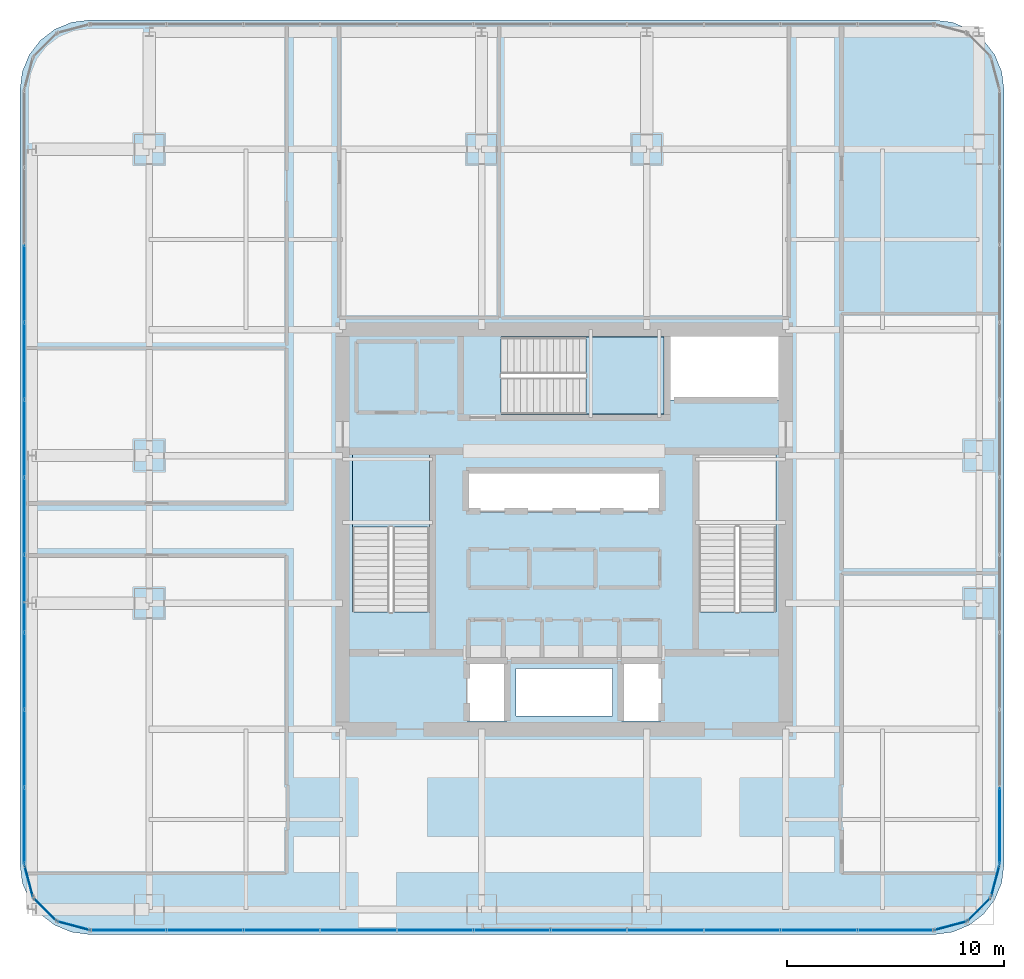
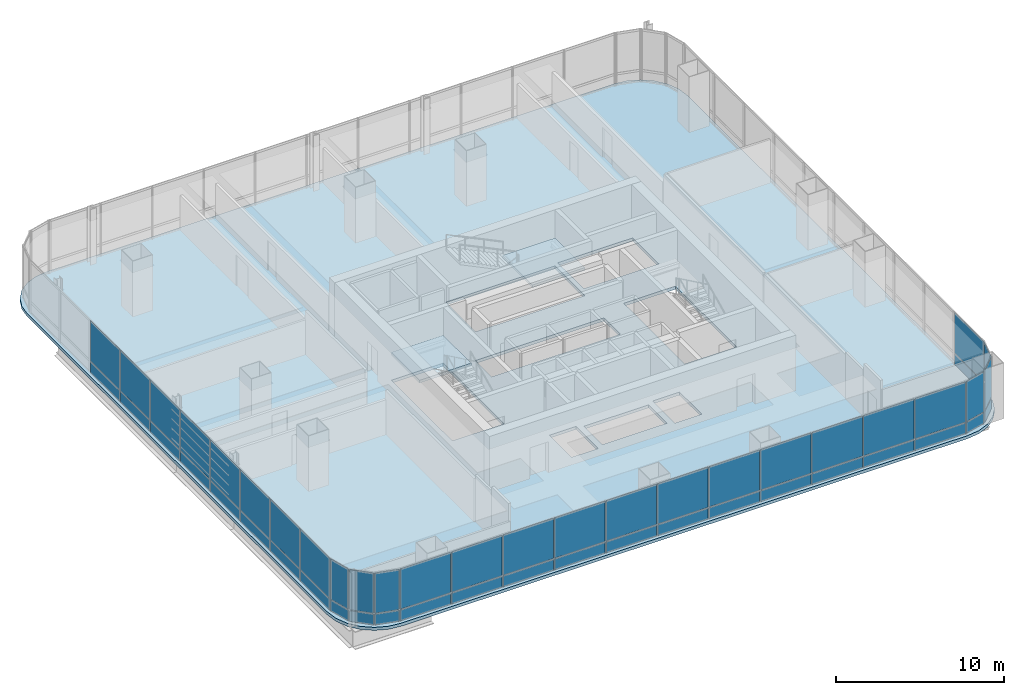
# One storey, part 28 of 38: 52 plates, 3 slabs, 11 elements without a shape of their own.
"""IFC4 building model written with IfcOpenShell, lengths in metres."""

from ifc_helpers import new_model, si_unit, direction, frame, origin, origin_2d, place, context, subcontext, project, spatial, polyline, rectangle, outline, extrude, material, layer, layer_set, type_object, element, aggregate, save


model = new_model("IFC4")

# Units and contexts
model_context = context("Model", 3, precision=1e-05, world=origin(), true_north=direction((0.0, 1.0)))
body_context = subcontext(model_context, "Body", "Model", "MODEL_VIEW")
ifc_project = project(units=[si_unit("LENGTHUNIT", "METRE"), si_unit("AREAUNIT", "SQUARE_METRE"), si_unit("VOLUMEUNIT", "CUBIC_METRE"), si_unit("PLANEANGLEUNIT", "RADIAN"), si_unit("MASSUNIT", "GRAM", prefix="KILO")], contexts=[model_context])

# Site, building, storey
site_placement = place(None, origin())
site = spatial("IfcSite", under=ifc_project, at=site_placement, CompositionType="ELEMENT")
building_placement = place(site_placement, origin())
building = spatial("IfcBuilding", under=site, at=building_placement, Name="Punatoya Terracotta Tower", CompositionType="ELEMENT")
storey_placement = place(building_placement, frame((0.0, 0.0, 143.85009765625)))
storey = spatial("IfcBuildingStorey", under=building, at=storey_placement, Name="L33", CompositionType="ELEMENT", Elevation=143.85009765625)

# Curtain wall, plates
ifc_material_1 = material(Name="Aluminium 6063-T6 + Double Low-E Glass", Category="aluminium")
curtain_wall_type = type_object("IfcCurtainWallType", Name="CW-M2", PredefinedType="NOTDEFINED", material=ifc_material_1)
curtain_wall_1_placement = place(storey_placement, origin())
curtain_wall_1 = element("IfcCurtainWall", 1, at=curtain_wall_1_placement, inside=storey, type_object=curtain_wall_type, Name="L33 Curtain Wall CW-L33-S01-1", PredefinedType="NOTDEFINED")
ifc_material_2 = material(Name="Double Low-E Acoustic Vision Glass", Category="glass")
ifc_layer_1 = layer(ifc_material_2, 0.031982421875)
ifc_layer_set_1 = layer_set([ifc_layer_1], Name="Double Low-E Acoustic Vision Glass")
plate_type_1 = type_object("IfcPlateType", Name="PLT-GLZ-32", PredefinedType="CURTAIN_PANEL", material=ifc_layer_set_1)
plate_1_placement = place(storey_placement, frame((-20.06982421875, -18.449951171875, 0.889892578125), z_axis=(0.0, 0.0, 1.0), x_axis=(1.0, 0.0, 0.0)))
plate_1 = element("IfcPlate", 2, at=plate_1_placement, type_object=plate_type_1, Name="CW-L33-S01-1 Vision Glass Panel 1", PredefinedType="CURTAIN_PANEL", context=body_context, shape_type="SweptSolid", body=[
    extrude(rectangle(XDim=3.448974609375, YDim=0.031982421875, at=origin_2d()), origin(), (0.0, 0.0, 1.0), 2.89990234375),
])
plate_2_placement = place(storey_placement, frame((-16.535888671875, -18.449951171875, 0.889892578125), z_axis=(0.0, 0.0, 1.0), x_axis=(1.0, 0.0, 0.0)))
plate_2 = element("IfcPlate", 3, at=plate_2_placement, type_object=plate_type_1, Name="CW-L33-S01-1 Vision Glass Panel 2", PredefinedType="CURTAIN_PANEL", context=body_context, shape_type="SweptSolid", body=[
    extrude(rectangle(XDim=3.448974609375, YDim=0.031982421875, at=origin_2d()), origin(), (0.0, 0.0, 1.0), 2.89990234375),
])
plate_3_placement = place(storey_placement, frame((-13.001953125, -18.449951171875, 0.889892578125), z_axis=(0.0, 0.0, 1.0), x_axis=(1.0, 0.0, 0.0)))
plate_3 = element("IfcPlate", 4, at=plate_3_placement, type_object=plate_type_1, Name="CW-L33-S01-1 Vision Glass Panel 3", PredefinedType="CURTAIN_PANEL", context=body_context, shape_type="SweptSolid", body=[
    extrude(rectangle(XDim=3.448974609375, YDim=0.031982421875, at=origin_2d()), origin(), (0.0, 0.0, 1.0), 2.89990234375),
])
plate_4_placement = place(storey_placement, frame((-9.468017578125, -18.449951171875, 0.889892578125), z_axis=(0.0, 0.0, 1.0), x_axis=(1.0, 0.0, 0.0)))
plate_4 = element("IfcPlate", 5, at=plate_4_placement, type_object=plate_type_1, Name="CW-L33-S01-1 Vision Glass Panel 4", PredefinedType="CURTAIN_PANEL", context=body_context, shape_type="SweptSolid", body=[
    extrude(rectangle(XDim=3.448974609375, YDim=0.031982421875, at=origin_2d()), origin(), (0.0, 0.0, 1.0), 2.89990234375),
])
plate_5_placement = place(storey_placement, frame((-5.93408203125, -18.449951171875, 0.889892578125), z_axis=(0.0, 0.0, 1.0), x_axis=(1.0, 0.0, 0.0)))
plate_5 = element("IfcPlate", 6, at=plate_5_placement, type_object=plate_type_1, Name="CW-L33-S01-1 Vision Glass Panel 5", PredefinedType="CURTAIN_PANEL", context=body_context, shape_type="SweptSolid", body=[
    extrude(rectangle(XDim=3.448974609375, YDim=0.031982421875, at=origin_2d()), origin(), (0.0, 0.0, 1.0), 2.89990234375),
])
plate_6_placement = place(storey_placement, frame((-2.39990234375, -18.449951171875, 0.889892578125), z_axis=(0.0, 0.0, 1.0), x_axis=(1.0, 0.0, 0.0)))
plate_6 = element("IfcPlate", 7, at=plate_6_placement, type_object=plate_type_1, Name="CW-L33-S01-1 Vision Glass Panel 6", PredefinedType="CURTAIN_PANEL", context=body_context, shape_type="SweptSolid", body=[
    extrude(rectangle(XDim=3.448974609375, YDim=0.031982421875, at=origin_2d()), origin(), (0.0, 0.0, 1.0), 2.89990234375),
])
plate_7_placement = place(storey_placement, frame((1.134033203125, -18.449951171875, 0.889892578125), z_axis=(0.0, 0.0, 1.0), x_axis=(1.0, 0.0, 0.0)))
plate_7 = element("IfcPlate", 8, at=plate_7_placement, type_object=plate_type_1, Name="CW-L33-S01-1 Vision Glass Panel 7", PredefinedType="CURTAIN_PANEL", context=body_context, shape_type="SweptSolid", body=[
    extrude(rectangle(XDim=3.448974609375, YDim=0.031982421875, at=origin_2d()), origin(), (0.0, 0.0, 1.0), 2.89990234375),
])
plate_8_placement = place(storey_placement, frame((4.66796875, -18.449951171875, 0.889892578125), z_axis=(0.0, 0.0, 1.0), x_axis=(1.0, 0.0, 0.0)))
plate_8 = element("IfcPlate", 9, at=plate_8_placement, type_object=plate_type_1, Name="CW-L33-S01-1 Vision Glass Panel 8", PredefinedType="CURTAIN_PANEL", context=body_context, shape_type="SweptSolid", body=[
    extrude(rectangle(XDim=3.448974609375, YDim=0.031982421875, at=origin_2d()), origin(), (0.0, 0.0, 1.0), 2.89990234375),
])
plate_9_placement = place(storey_placement, frame((8.201904296875, -18.449951171875, 0.889892578125), z_axis=(0.0, 0.0, 1.0), x_axis=(1.0, 0.0, 0.0)))
plate_9 = element("IfcPlate", 10, at=plate_9_placement, type_object=plate_type_1, Name="CW-L33-S01-1 Vision Glass Panel 9", PredefinedType="CURTAIN_PANEL", context=body_context, shape_type="SweptSolid", body=[
    extrude(rectangle(XDim=3.448974609375, YDim=0.031982421875, at=origin_2d()), origin(), (0.0, 0.0, 1.0), 2.89990234375),
])
plate_10_placement = place(storey_placement, frame((11.73583984375, -18.449951171875, 0.889892578125), z_axis=(0.0, 0.0, 1.0), x_axis=(1.0, 0.0, 0.0)))
plate_10 = element("IfcPlate", 11, at=plate_10_placement, type_object=plate_type_1, Name="CW-L33-S01-1 Vision Glass Panel 10", PredefinedType="CURTAIN_PANEL", context=body_context, shape_type="SweptSolid", body=[
    extrude(rectangle(XDim=3.448974609375, YDim=0.031982421875, at=origin_2d()), origin(), (0.0, 0.0, 1.0), 2.89990234375),
])
plate_11_placement = place(storey_placement, frame((15.27001953125, -18.449951171875, 0.889892578125), z_axis=(0.0, 0.0, 1.0), x_axis=(1.0, 0.0, 0.0)))
plate_11 = element("IfcPlate", 12, at=plate_11_placement, type_object=plate_type_1, Name="CW-L33-S01-1 Vision Glass Panel 11", PredefinedType="CURTAIN_PANEL", context=body_context, shape_type="SweptSolid", body=[
    extrude(rectangle(XDim=3.448974609375, YDim=0.031982421875, at=origin_2d()), origin(), (0.0, 0.0, 1.0), 2.89990234375),
])

# Curtain wall, plate
curtain_wall_2_placement = place(storey_placement, origin())
curtain_wall_2 = element("IfcCurtainWall", 13, at=curtain_wall_2_placement, inside=storey, type_object=curtain_wall_type, Name="L33 Curtain Wall CW-L33-CRN02", PredefinedType="NOTDEFINED")
plate_12_placement = place(storey_placement, frame((17.79296875, -18.248291015625, 0.889892578125), z_axis=(0.0, 0.0, 1.0), x_axis=(0.966213877436, 0.257741620719, 0.0)))
plate_12 = element("IfcPlate", 14, at=plate_12_placement, type_object=plate_type_1, Name="CW-L33-CRN02 Vision Glass Panel 1", PredefinedType="CURTAIN_PANEL", context=body_context, shape_type="SweptSolid", body=[
    extrude(rectangle(XDim=1.47998046875, YDim=0.031982421875, at=origin_2d()), origin(), (0.0, 0.0, 1.0), 2.89990234375),
])

curtain_wall_3_placement = place(storey_placement, origin())
curtain_wall_3 = element("IfcCurtainWall", 15, at=curtain_wall_3_placement, inside=storey, type_object=curtain_wall_type, Name="L33 Curtain Wall CW-L33-CRN03", PredefinedType="NOTDEFINED")
plate_13_placement = place(storey_placement, frame((19.097900390625, -17.497802734375, 0.889892578125), z_axis=(0.0, 0.0, 1.0), x_axis=(0.707106781187, 0.707106781187, 0.0)))
plate_13 = element("IfcPlate", 16, at=plate_13_placement, type_object=plate_type_1, Name="CW-L33-CRN03 Vision Glass Panel 1", PredefinedType="CURTAIN_PANEL", context=body_context, shape_type="SweptSolid", body=[
    extrude(rectangle(XDim=1.467041015625, YDim=0.031982421875, at=origin_2d()), origin(), (0.0, 0.0, 1.0), 2.89990234375),
])

curtain_wall_4_placement = place(storey_placement, origin())
curtain_wall_4 = element("IfcCurtainWall", 17, at=curtain_wall_4_placement, inside=storey, type_object=curtain_wall_type, Name="L33 Curtain Wall CW-L33-CRN04", PredefinedType="NOTDEFINED")
plate_14_placement = place(storey_placement, frame((19.848388671875, -16.193115234375, 0.889892578125), z_axis=(0.0, 0.0, 1.0), x_axis=(0.257741620719, 0.966213877436, 0.0)))
plate_14 = element("IfcPlate", 18, at=plate_14_placement, type_object=plate_type_1, Name="CW-L33-CRN04 Vision Glass Panel 1", PredefinedType="CURTAIN_PANEL", context=body_context, shape_type="SweptSolid", body=[
    extrude(rectangle(XDim=1.47998046875, YDim=0.031982421875, at=origin_2d()), origin(), (0.0, 0.0, 1.0), 2.89990234375),
])

curtain_wall_5_placement = place(storey_placement, origin())
curtain_wall_5 = element("IfcCurtainWall", 19, at=curtain_wall_5_placement, inside=storey, type_object=curtain_wall_type, Name="L33 Curtain Wall CW-L33-E05-1", PredefinedType="NOTDEFINED")
plate_15_placement = place(storey_placement, frame((20.050048828125, -13.6533203125, 0.889892578125), z_axis=(0.0, 0.0, 1.0), x_axis=(0.0, 1.0, 0.0)))
plate_15 = element("IfcPlate", 20, at=plate_15_placement, type_object=plate_type_1, Name="CW-L33-E05-1 Vision Glass Panel 1", PredefinedType="CURTAIN_PANEL", context=body_context, shape_type="SweptSolid", body=[
    extrude(rectangle(XDim=3.482421875, YDim=0.031982421875, at=origin_2d()), origin(), (0.0, 0.0, 1.0), 2.89990234375),
])

# Curtain wall, plates
curtain_wall_6_placement = place(storey_placement, origin())
curtain_wall_6 = element("IfcCurtainWall", 21, at=curtain_wall_6_placement, inside=storey, type_object=curtain_wall_type, Name="L33 Curtain Wall CW-L33-W13-1", PredefinedType="NOTDEFINED")
plate_16_placement = place(storey_placement, frame((-24.85009765625, 11.318359375, 0.889892578125), z_axis=(0.0, 0.0, 1.0), x_axis=(0.0, -1.0, 0.0)))
plate_16 = element("IfcPlate", 22, at=plate_16_placement, type_object=plate_type_1, Name="CW-L33-W13-1 Vision Glass Panel 3", PredefinedType="CURTAIN_PANEL", context=body_context, shape_type="SweptSolid", body=[
    extrude(rectangle(XDim=3.482421875, YDim=0.031982421875, at=origin_2d()), origin(), (0.0, 0.0, 1.0), 2.89990234375),
])
plate_17_placement = place(storey_placement, frame((-24.85009765625, 7.751220703125, 0.889892578125), z_axis=(0.0, 0.0, 1.0), x_axis=(0.0, -1.0, 0.0)))
plate_17 = element("IfcPlate", 23, at=plate_17_placement, type_object=plate_type_1, Name="CW-L33-W13-1 Vision Glass Panel 4", PredefinedType="CURTAIN_PANEL", context=body_context, shape_type="SweptSolid", body=[
    extrude(rectangle(XDim=3.482421875, YDim=0.031982421875, at=origin_2d()), origin(), (0.0, 0.0, 1.0), 2.89990234375),
])
plate_18_placement = place(storey_placement, frame((-24.85009765625, 4.18359375, 0.889892578125), z_axis=(0.0, 0.0, 1.0), x_axis=(0.0, -1.0, 0.0)))
plate_18 = element("IfcPlate", 24, at=plate_18_placement, type_object=plate_type_1, Name="CW-L33-W13-1 Vision Glass Panel 5", PredefinedType="CURTAIN_PANEL", context=body_context, shape_type="SweptSolid", body=[
    extrude(rectangle(XDim=3.482421875, YDim=0.031982421875, at=origin_2d()), origin(), (0.0, 0.0, 1.0), 2.89990234375),
])
plate_19_placement = place(storey_placement, frame((-24.85009765625, 0.6162109375, 0.889892578125), z_axis=(0.0, 0.0, 1.0), x_axis=(0.0, -1.0, 0.0)))
plate_19 = element("IfcPlate", 25, at=plate_19_placement, type_object=plate_type_1, Name="CW-L33-W13-1 Vision Glass Panel 6", PredefinedType="CURTAIN_PANEL", context=body_context, shape_type="SweptSolid", body=[
    extrude(rectangle(XDim=3.482421875, YDim=0.031982421875, at=origin_2d()), origin(), (0.0, 0.0, 1.0), 2.89990234375),
])
plate_20_placement = place(storey_placement, frame((-24.85009765625, -2.951171875, 0.889892578125), z_axis=(0.0, 0.0, 1.0), x_axis=(0.0, -1.0, 0.0)))
plate_20 = element("IfcPlate", 26, at=plate_20_placement, type_object=plate_type_1, Name="CW-L33-W13-1 Vision Glass Panel 7", PredefinedType="CURTAIN_PANEL", context=body_context, shape_type="SweptSolid", body=[
    extrude(rectangle(XDim=3.482421875, YDim=0.031982421875, at=origin_2d()), origin(), (0.0, 0.0, 1.0), 2.89990234375),
])
plate_21_placement = place(storey_placement, frame((-24.85009765625, -6.518310546875, 0.889892578125), z_axis=(0.0, 0.0, 1.0), x_axis=(0.0, -1.0, 0.0)))
plate_21 = element("IfcPlate", 27, at=plate_21_placement, type_object=plate_type_1, Name="CW-L33-W13-1 Vision Glass Panel 8", PredefinedType="CURTAIN_PANEL", context=body_context, shape_type="SweptSolid", body=[
    extrude(rectangle(XDim=3.482421875, YDim=0.031982421875, at=origin_2d()), origin(), (0.0, 0.0, 1.0), 2.89990234375),
])
plate_22_placement = place(storey_placement, frame((-24.85009765625, -10.085693359375, 0.889892578125), z_axis=(0.0, 0.0, 1.0), x_axis=(0.0, -1.0, 0.0)))
plate_22 = element("IfcPlate", 28, at=plate_22_placement, type_object=plate_type_1, Name="CW-L33-W13-1 Vision Glass Panel 9", PredefinedType="CURTAIN_PANEL", context=body_context, shape_type="SweptSolid", body=[
    extrude(rectangle(XDim=3.482421875, YDim=0.031982421875, at=origin_2d()), origin(), (0.0, 0.0, 1.0), 2.89990234375),
])
plate_23_placement = place(storey_placement, frame((-24.85009765625, -13.6533203125, 0.889892578125), z_axis=(0.0, 0.0, 1.0), x_axis=(0.0, -1.0, 0.0)))
plate_23 = element("IfcPlate", 29, at=plate_23_placement, type_object=plate_type_1, Name="CW-L33-W13-1 Vision Glass Panel 10", PredefinedType="CURTAIN_PANEL", context=body_context, shape_type="SweptSolid", body=[
    extrude(rectangle(XDim=3.482421875, YDim=0.031982421875, at=origin_2d()), origin(), (0.0, 0.0, 1.0), 2.89990234375),
])

# Curtain wall, plate
curtain_wall_7_placement = place(storey_placement, origin())
curtain_wall_7 = element("IfcCurtainWall", 30, at=curtain_wall_7_placement, inside=storey, type_object=curtain_wall_type, Name="L33 Curtain Wall CW-L33-CRN14", PredefinedType="NOTDEFINED")
plate_24_placement = place(storey_placement, frame((-24.648193359375, -16.193115234375, 0.889892578125), z_axis=(0.0, 0.0, 1.0), x_axis=(0.257741620719, -0.966213877436, 0.0)))
plate_24 = element("IfcPlate", 31, at=plate_24_placement, type_object=plate_type_1, Name="CW-L33-CRN14 Vision Glass Panel 1", PredefinedType="CURTAIN_PANEL", context=body_context, shape_type="SweptSolid", body=[
    extrude(rectangle(XDim=1.47998046875, YDim=0.031982421875, at=origin_2d()), origin(), (0.0, 0.0, 1.0), 2.89990234375),
])

curtain_wall_8_placement = place(storey_placement, origin())
curtain_wall_8 = element("IfcCurtainWall", 32, at=curtain_wall_8_placement, inside=storey, type_object=curtain_wall_type, Name="L33 Curtain Wall CW-L33-CRN15", PredefinedType="NOTDEFINED")
plate_25_placement = place(storey_placement, frame((-23.89794921875, -17.497802734375, 0.889892578125), z_axis=(0.0, 0.0, 1.0), x_axis=(0.707106781187, -0.707106781187, 0.0)))
plate_25 = element("IfcPlate", 33, at=plate_25_placement, type_object=plate_type_1, Name="CW-L33-CRN15 Vision Glass Panel 1", PredefinedType="CURTAIN_PANEL", context=body_context, shape_type="SweptSolid", body=[
    extrude(rectangle(XDim=1.467041015625, YDim=0.031982421875, at=origin_2d()), origin(), (0.0, 0.0, 1.0), 2.89990234375),
])

curtain_wall_9_placement = place(storey_placement, origin())
curtain_wall_9 = element("IfcCurtainWall", 34, at=curtain_wall_9_placement, inside=storey, type_object=curtain_wall_type, Name="L33 Curtain Wall CW-L33-CRN16", PredefinedType="NOTDEFINED")
plate_26_placement = place(storey_placement, frame((-22.593017578125, -18.248291015625, 0.889892578125), z_axis=(0.0, 0.0, 1.0), x_axis=(0.966213877436, -0.257741620719, 0.0)))
plate_26 = element("IfcPlate", 35, at=plate_26_placement, type_object=plate_type_1, Name="CW-L33-CRN16 Vision Glass Panel 1", PredefinedType="CURTAIN_PANEL", context=body_context, shape_type="SweptSolid", body=[
    extrude(rectangle(XDim=1.47998046875, YDim=0.031982421875, at=origin_2d()), origin(), (0.0, 0.0, 1.0), 2.89990234375),
])

# Plate
ifc_material_3 = material(Name="Insulated Terracotta-Backed Spandrel Panel", Category="masonry")
ifc_layer_2 = layer(ifc_material_3, 0.044921875)
ifc_layer_set_2 = layer_set([ifc_layer_2], Name="Insulated Terracotta-Backed Spandrel Panel")
plate_type_2 = type_object("IfcPlateType", Name="PLT-SPN-45", PredefinedType="CURTAIN_PANEL", material=ifc_layer_set_2)
plate_27_placement = place(storey_placement, frame((-20.06982421875, -18.449951171875, 0.0400390625), z_axis=(0.0, 0.0, 1.0), x_axis=(1.0, 0.0, 0.0)))
plate_27 = element("IfcPlate", 36, at=plate_27_placement, type_object=plate_type_2, Name="CW-L33-S01-1 Terracotta Spandrel Panel 1", PredefinedType="CURTAIN_PANEL", context=body_context, shape_type="SweptSolid", body=[
    extrude(rectangle(XDim=3.448974609375, YDim=0.044921875, at=origin_2d()), origin(), (0.0, 0.0, 1.0), 0.77490234375),
])

plate_28_placement = place(storey_placement, frame((-16.535888671875, -18.449951171875, 0.0400390625), z_axis=(0.0, 0.0, 1.0), x_axis=(1.0, 0.0, 0.0)))
plate_28 = element("IfcPlate", 37, at=plate_28_placement, type_object=plate_type_2, Name="CW-L33-S01-1 Terracotta Spandrel Panel 2", PredefinedType="CURTAIN_PANEL", context=body_context, shape_type="SweptSolid", body=[
    extrude(rectangle(XDim=3.448974609375, YDim=0.044921875, at=origin_2d()), origin(), (0.0, 0.0, 1.0), 0.77490234375),
])

plate_29_placement = place(storey_placement, frame((-13.001953125, -18.449951171875, 0.0400390625), z_axis=(0.0, 0.0, 1.0), x_axis=(1.0, 0.0, 0.0)))
plate_29 = element("IfcPlate", 38, at=plate_29_placement, type_object=plate_type_2, Name="CW-L33-S01-1 Terracotta Spandrel Panel 3", PredefinedType="CURTAIN_PANEL", context=body_context, shape_type="SweptSolid", body=[
    extrude(rectangle(XDim=3.448974609375, YDim=0.044921875, at=origin_2d()), origin(), (0.0, 0.0, 1.0), 0.77490234375),
])

plate_30_placement = place(storey_placement, frame((-9.468017578125, -18.449951171875, 0.0400390625), z_axis=(0.0, 0.0, 1.0), x_axis=(1.0, 0.0, 0.0)))
plate_30 = element("IfcPlate", 39, at=plate_30_placement, type_object=plate_type_2, Name="CW-L33-S01-1 Terracotta Spandrel Panel 4", PredefinedType="CURTAIN_PANEL", context=body_context, shape_type="SweptSolid", body=[
    extrude(rectangle(XDim=3.448974609375, YDim=0.044921875, at=origin_2d()), origin(), (0.0, 0.0, 1.0), 0.77490234375),
])

plate_31_placement = place(storey_placement, frame((-5.93408203125, -18.449951171875, 0.0400390625), z_axis=(0.0, 0.0, 1.0), x_axis=(1.0, 0.0, 0.0)))
plate_31 = element("IfcPlate", 40, at=plate_31_placement, type_object=plate_type_2, Name="CW-L33-S01-1 Terracotta Spandrel Panel 5", PredefinedType="CURTAIN_PANEL", context=body_context, shape_type="SweptSolid", body=[
    extrude(rectangle(XDim=3.448974609375, YDim=0.044921875, at=origin_2d()), origin(), (0.0, 0.0, 1.0), 0.77490234375),
])

plate_32_placement = place(storey_placement, frame((-2.39990234375, -18.449951171875, 0.0400390625), z_axis=(0.0, 0.0, 1.0), x_axis=(1.0, 0.0, 0.0)))
plate_32 = element("IfcPlate", 41, at=plate_32_placement, type_object=plate_type_2, Name="CW-L33-S01-1 Terracotta Spandrel Panel 6", PredefinedType="CURTAIN_PANEL", context=body_context, shape_type="SweptSolid", body=[
    extrude(rectangle(XDim=3.448974609375, YDim=0.044921875, at=origin_2d()), origin(), (0.0, 0.0, 1.0), 0.77490234375),
])

plate_33_placement = place(storey_placement, frame((1.134033203125, -18.449951171875, 0.0400390625), z_axis=(0.0, 0.0, 1.0), x_axis=(1.0, 0.0, 0.0)))
plate_33 = element("IfcPlate", 42, at=plate_33_placement, type_object=plate_type_2, Name="CW-L33-S01-1 Terracotta Spandrel Panel 7", PredefinedType="CURTAIN_PANEL", context=body_context, shape_type="SweptSolid", body=[
    extrude(rectangle(XDim=3.448974609375, YDim=0.044921875, at=origin_2d()), origin(), (0.0, 0.0, 1.0), 0.77490234375),
])

plate_34_placement = place(storey_placement, frame((4.66796875, -18.449951171875, 0.0400390625), z_axis=(0.0, 0.0, 1.0), x_axis=(1.0, 0.0, 0.0)))
plate_34 = element("IfcPlate", 43, at=plate_34_placement, type_object=plate_type_2, Name="CW-L33-S01-1 Terracotta Spandrel Panel 8", PredefinedType="CURTAIN_PANEL", context=body_context, shape_type="SweptSolid", body=[
    extrude(rectangle(XDim=3.448974609375, YDim=0.044921875, at=origin_2d()), origin(), (0.0, 0.0, 1.0), 0.77490234375),
])

plate_35_placement = place(storey_placement, frame((8.201904296875, -18.449951171875, 0.0400390625), z_axis=(0.0, 0.0, 1.0), x_axis=(1.0, 0.0, 0.0)))
plate_35 = element("IfcPlate", 44, at=plate_35_placement, type_object=plate_type_2, Name="CW-L33-S01-1 Terracotta Spandrel Panel 9", PredefinedType="CURTAIN_PANEL", context=body_context, shape_type="SweptSolid", body=[
    extrude(rectangle(XDim=3.448974609375, YDim=0.044921875, at=origin_2d()), origin(), (0.0, 0.0, 1.0), 0.77490234375),
])

plate_36_placement = place(storey_placement, frame((11.73583984375, -18.449951171875, 0.0400390625), z_axis=(0.0, 0.0, 1.0), x_axis=(1.0, 0.0, 0.0)))
plate_36 = element("IfcPlate", 45, at=plate_36_placement, type_object=plate_type_2, Name="CW-L33-S01-1 Terracotta Spandrel Panel 10", PredefinedType="CURTAIN_PANEL", context=body_context, shape_type="SweptSolid", body=[
    extrude(rectangle(XDim=3.448974609375, YDim=0.044921875, at=origin_2d()), origin(), (0.0, 0.0, 1.0), 0.77490234375),
])

plate_37_placement = place(storey_placement, frame((15.27001953125, -18.449951171875, 0.0400390625), z_axis=(0.0, 0.0, 1.0), x_axis=(1.0, 0.0, 0.0)))
plate_37 = element("IfcPlate", 46, at=plate_37_placement, type_object=plate_type_2, Name="CW-L33-S01-1 Terracotta Spandrel Panel 11", PredefinedType="CURTAIN_PANEL", context=body_context, shape_type="SweptSolid", body=[
    extrude(rectangle(XDim=3.448974609375, YDim=0.044921875, at=origin_2d()), origin(), (0.0, 0.0, 1.0), 0.77490234375),
])

aggregate(curtain_wall_1, [plate_27, plate_1, plate_28, plate_2, plate_29, plate_3, plate_30, plate_4, plate_31, plate_5, plate_32, plate_6, plate_33, plate_7, plate_34, plate_8, plate_35, plate_9, plate_36, plate_10, plate_37, plate_11])

plate_38_placement = place(storey_placement, frame((17.79296875, -18.248291015625, 0.0400390625), z_axis=(0.0, 0.0, 1.0), x_axis=(0.966213877436, 0.257741620719, 0.0)))
plate_38 = element("IfcPlate", 47, at=plate_38_placement, type_object=plate_type_2, Name="CW-L33-CRN02 Terracotta Spandrel Panel 1", PredefinedType="CURTAIN_PANEL", context=body_context, shape_type="SweptSolid", body=[
    extrude(rectangle(XDim=1.47998046875, YDim=0.044921875, at=origin_2d()), origin(), (0.0, 0.0, 1.0), 0.77490234375),
])

aggregate(curtain_wall_2, [plate_38, plate_12])

plate_39_placement = place(storey_placement, frame((19.097900390625, -17.497802734375, 0.0400390625), z_axis=(0.0, 0.0, 1.0), x_axis=(0.707106781187, 0.707106781187, 0.0)))
plate_39 = element("IfcPlate", 48, at=plate_39_placement, type_object=plate_type_2, Name="CW-L33-CRN03 Terracotta Spandrel Panel 1", PredefinedType="CURTAIN_PANEL", context=body_context, shape_type="SweptSolid", body=[
    extrude(rectangle(XDim=1.467041015625, YDim=0.044921875, at=origin_2d()), origin(), (0.0, 0.0, 1.0), 0.77490234375),
])

aggregate(curtain_wall_3, [plate_39, plate_13])

plate_40_placement = place(storey_placement, frame((19.848388671875, -16.193115234375, 0.0400390625), z_axis=(0.0, 0.0, 1.0), x_axis=(0.257741620719, 0.966213877436, 0.0)))
plate_40 = element("IfcPlate", 49, at=plate_40_placement, type_object=plate_type_2, Name="CW-L33-CRN04 Terracotta Spandrel Panel 1", PredefinedType="CURTAIN_PANEL", context=body_context, shape_type="SweptSolid", body=[
    extrude(rectangle(XDim=1.47998046875, YDim=0.044921875, at=origin_2d()), origin(), (0.0, 0.0, 1.0), 0.77490234375),
])

aggregate(curtain_wall_4, [plate_40, plate_14])

plate_41_placement = place(storey_placement, frame((20.050048828125, -13.6533203125, 0.0400390625), z_axis=(0.0, 0.0, 1.0), x_axis=(0.0, 1.0, 0.0)))
plate_41 = element("IfcPlate", 50, at=plate_41_placement, type_object=plate_type_2, Name="CW-L33-E05-1 Terracotta Spandrel Panel 1", PredefinedType="CURTAIN_PANEL", context=body_context, shape_type="SweptSolid", body=[
    extrude(rectangle(XDim=3.482421875, YDim=0.044921875, at=origin_2d()), origin(), (0.0, 0.0, 1.0), 0.77490234375),
])

aggregate(curtain_wall_5, [plate_41, plate_15])

plate_42_placement = place(storey_placement, frame((-24.85009765625, 11.318359375, 0.0400390625), z_axis=(0.0, 0.0, 1.0), x_axis=(0.0, -1.0, 0.0)))
plate_42 = element("IfcPlate", 51, at=plate_42_placement, type_object=plate_type_2, Name="CW-L33-W13-1 Terracotta Spandrel Panel 3", PredefinedType="CURTAIN_PANEL", context=body_context, shape_type="SweptSolid", body=[
    extrude(rectangle(XDim=3.482421875, YDim=0.044921875, at=origin_2d()), origin(), (0.0, 0.0, 1.0), 0.77490234375),
])

plate_43_placement = place(storey_placement, frame((-24.85009765625, 7.751220703125, 0.0400390625), z_axis=(0.0, 0.0, 1.0), x_axis=(0.0, -1.0, 0.0)))
plate_43 = element("IfcPlate", 52, at=plate_43_placement, type_object=plate_type_2, Name="CW-L33-W13-1 Terracotta Spandrel Panel 4", PredefinedType="CURTAIN_PANEL", context=body_context, shape_type="SweptSolid", body=[
    extrude(rectangle(XDim=3.482421875, YDim=0.044921875, at=origin_2d()), origin(), (0.0, 0.0, 1.0), 0.77490234375),
])

plate_44_placement = place(storey_placement, frame((-24.85009765625, 4.18359375, 0.0400390625), z_axis=(0.0, 0.0, 1.0), x_axis=(0.0, -1.0, 0.0)))
plate_44 = element("IfcPlate", 53, at=plate_44_placement, type_object=plate_type_2, Name="CW-L33-W13-1 Terracotta Spandrel Panel 5", PredefinedType="CURTAIN_PANEL", context=body_context, shape_type="SweptSolid", body=[
    extrude(rectangle(XDim=3.482421875, YDim=0.044921875, at=origin_2d()), origin(), (0.0, 0.0, 1.0), 0.77490234375),
])

plate_45_placement = place(storey_placement, frame((-24.85009765625, 0.6162109375, 0.0400390625), z_axis=(0.0, 0.0, 1.0), x_axis=(0.0, -1.0, 0.0)))
plate_45 = element("IfcPlate", 54, at=plate_45_placement, type_object=plate_type_2, Name="CW-L33-W13-1 Terracotta Spandrel Panel 6", PredefinedType="CURTAIN_PANEL", context=body_context, shape_type="SweptSolid", body=[
    extrude(rectangle(XDim=3.482421875, YDim=0.044921875, at=origin_2d()), origin(), (0.0, 0.0, 1.0), 0.77490234375),
])

plate_46_placement = place(storey_placement, frame((-24.85009765625, -2.951171875, 0.0400390625), z_axis=(0.0, 0.0, 1.0), x_axis=(0.0, -1.0, 0.0)))
plate_46 = element("IfcPlate", 55, at=plate_46_placement, type_object=plate_type_2, Name="CW-L33-W13-1 Terracotta Spandrel Panel 7", PredefinedType="CURTAIN_PANEL", context=body_context, shape_type="SweptSolid", body=[
    extrude(rectangle(XDim=3.482421875, YDim=0.044921875, at=origin_2d()), origin(), (0.0, 0.0, 1.0), 0.77490234375),
])

plate_47_placement = place(storey_placement, frame((-24.85009765625, -6.518310546875, 0.0400390625), z_axis=(0.0, 0.0, 1.0), x_axis=(0.0, -1.0, 0.0)))
plate_47 = element("IfcPlate", 56, at=plate_47_placement, type_object=plate_type_2, Name="CW-L33-W13-1 Terracotta Spandrel Panel 8", PredefinedType="CURTAIN_PANEL", context=body_context, shape_type="SweptSolid", body=[
    extrude(rectangle(XDim=3.482421875, YDim=0.044921875, at=origin_2d()), origin(), (0.0, 0.0, 1.0), 0.77490234375),
])

plate_48_placement = place(storey_placement, frame((-24.85009765625, -10.085693359375, 0.0400390625), z_axis=(0.0, 0.0, 1.0), x_axis=(0.0, -1.0, 0.0)))
plate_48 = element("IfcPlate", 57, at=plate_48_placement, type_object=plate_type_2, Name="CW-L33-W13-1 Terracotta Spandrel Panel 9", PredefinedType="CURTAIN_PANEL", context=body_context, shape_type="SweptSolid", body=[
    extrude(rectangle(XDim=3.482421875, YDim=0.044921875, at=origin_2d()), origin(), (0.0, 0.0, 1.0), 0.77490234375),
])

plate_49_placement = place(storey_placement, frame((-24.85009765625, -13.6533203125, 0.0400390625), z_axis=(0.0, 0.0, 1.0), x_axis=(0.0, -1.0, 0.0)))
plate_49 = element("IfcPlate", 58, at=plate_49_placement, type_object=plate_type_2, Name="CW-L33-W13-1 Terracotta Spandrel Panel 10", PredefinedType="CURTAIN_PANEL", context=body_context, shape_type="SweptSolid", body=[
    extrude(rectangle(XDim=3.482421875, YDim=0.044921875, at=origin_2d()), origin(), (0.0, 0.0, 1.0), 0.77490234375),
])

aggregate(curtain_wall_6, [plate_42, plate_16, plate_43, plate_17, plate_44, plate_18, plate_45, plate_19, plate_46, plate_20, plate_47, plate_21, plate_48, plate_22, plate_49, plate_23])

plate_50_placement = place(storey_placement, frame((-24.648193359375, -16.193115234375, 0.0400390625), z_axis=(0.0, 0.0, 1.0), x_axis=(0.257741620719, -0.966213877436, 0.0)))
plate_50 = element("IfcPlate", 59, at=plate_50_placement, type_object=plate_type_2, Name="CW-L33-CRN14 Terracotta Spandrel Panel 1", PredefinedType="CURTAIN_PANEL", context=body_context, shape_type="SweptSolid", body=[
    extrude(rectangle(XDim=1.47998046875, YDim=0.044921875, at=origin_2d()), origin(), (0.0, 0.0, 1.0), 0.77490234375),
])

aggregate(curtain_wall_7, [plate_50, plate_24])

plate_51_placement = place(storey_placement, frame((-23.89794921875, -17.497802734375, 0.0400390625), z_axis=(0.0, 0.0, 1.0), x_axis=(0.707106781187, -0.707106781187, 0.0)))
plate_51 = element("IfcPlate", 60, at=plate_51_placement, type_object=plate_type_2, Name="CW-L33-CRN15 Terracotta Spandrel Panel 1", PredefinedType="CURTAIN_PANEL", context=body_context, shape_type="SweptSolid", body=[
    extrude(rectangle(XDim=1.467041015625, YDim=0.044921875, at=origin_2d()), origin(), (0.0, 0.0, 1.0), 0.77490234375),
])

aggregate(curtain_wall_8, [plate_51, plate_25])

plate_52_placement = place(storey_placement, frame((-22.593017578125, -18.248291015625, 0.0400390625), z_axis=(0.0, 0.0, 1.0), x_axis=(0.966213877436, -0.257741620719, 0.0)))
plate_52 = element("IfcPlate", 61, at=plate_52_placement, type_object=plate_type_2, Name="CW-L33-CRN16 Terracotta Spandrel Panel 1", PredefinedType="CURTAIN_PANEL", context=body_context, shape_type="SweptSolid", body=[
    extrude(rectangle(XDim=1.47998046875, YDim=0.044921875, at=origin_2d()), origin(), (0.0, 0.0, 1.0), 0.77490234375),
])

aggregate(curtain_wall_9, [plate_52, plate_26])

# Stair, slab
ifc_material_4 = material(Name="Concrete C40/50", Category="concrete")
stair_type_1 = type_object("IfcStairType", Name="STR-TER-1450", PredefinedType="HALF_TURN_STAIR", material=ifc_material_4)
stair_1_placement = place(storey_placement, origin())
stair_1 = element("IfcStair", 62, at=stair_1_placement, inside=storey, type_object=stair_type_1, Name="L33 Protected Core Exit Stair ST-3", PredefinedType="HALF_TURN_STAIR")
ifc_layer_3 = layer(ifc_material_4, 0.1650390625)
ifc_layer_set_3 = layer_set([ifc_layer_3], Name="Concrete C40/50")
slab_type_1 = type_object("IfcSlabType", Name="SLB-LND-165", PredefinedType="LANDING", material=ifc_layer_set_3)
slab_1_placement = place(storey_placement, frame((0.0, 0.0, 1.824951171875)))
slab_1 = element("IfcSlab", 63, at=slab_1_placement, type_object=slab_type_1, Name="ST-3 landing 1", PredefinedType="LANDING", context=body_context, shape_type="SweptSolid", body=[
    extrude(outline(polyline([(1.0, 5.300048828125), (4.60009765625, 5.300048828125), (4.60009765625, 8.85009765625), (1.0, 8.85009765625), (1.0, 5.300048828125)])), origin(), (0.0, 0.0, 1.0), 0.199951171875),
])
aggregate(stair_1, [slab_1])

stair_type_2 = type_object("IfcStairType", Name="STR-CORE-1550", PredefinedType="HALF_TURN_STAIR", material=ifc_material_4)
stair_2_placement = place(storey_placement, origin())
stair_2 = element("IfcStair", 64, at=stair_2_placement, inside=storey, type_object=stair_type_2, Name="L33 Protected Core Exit Stair ST-1", PredefinedType="HALF_TURN_STAIR")
ifc_layer_4 = layer(ifc_material_4, 0.179931640625)
ifc_layer_set_4 = layer_set([ifc_layer_4], Name="Concrete C40/50")
slab_type_2 = type_object("IfcSlabType", Name="SLB-LND-180", PredefinedType="LANDING", material=ifc_layer_set_4)
slab_2_placement = place(storey_placement, frame((0.0, 0.0, 1.824951171875)))
slab_2 = element("IfcSlab", 65, at=slab_2_placement, type_object=slab_type_2, Name="ST-1 landing 1", PredefinedType="LANDING", context=body_context, shape_type="SweptSolid", body=[
    extrude(outline(polyline([(-6.199951171875, 0.10009765625), (-6.199951171875, 3.449951171875), (-9.75, 3.449951171875), (-9.75, 0.10009765625), (-6.199951171875, 0.10009765625)])), origin(), (0.0, 0.0, 1.0), 0.199951171875),
])
aggregate(stair_2, [slab_2])

# Slab
ifc_layer_5 = layer(ifc_material_4, 0.219970703125)
ifc_layer_set_5 = layer_set([ifc_layer_5], Name="Concrete C40/50")
slab_type_3 = type_object("IfcSlabType", Name="SLB-OFF-220", PredefinedType="FLOOR", material=ifc_layer_set_5)
slab_3_placement = place(storey_placement, frame((0.0, 0.0, -0.22021484375)))
element("IfcSlab", 66, at=slab_3_placement, inside=storey, type_object=slab_type_3, Name="L33 Structural Floor Slab", PredefinedType="FLOOR", context=body_context, shape_type="SweptSolid", body=[
    extrude(outline(polyline([(-21.85009765625, -18.64990234375), (-22.67822265625, -18.541015625), (-23.449951171875, -18.22119140625), (-24.11279296875, -17.712646484375), (-24.621337890625, -17.050048828125), (-24.94091796875, -16.2783203125), (-25.050048828125, -15.449951171875), (-25.050048828125, 20.25), (-24.94091796875, 21.078125), (-24.621337890625, 21.85009765625), (-24.11279296875, 22.5126953125), (-23.449951171875, 23.021240234375), (-22.67822265625, 23.341064453125), (-21.85009765625, 23.449951171875), (17.050048828125, 23.449951171875), (17.878173828125, 23.341064453125), (18.64990234375, 23.021240234375), (19.312744140625, 22.5126953125), (19.8212890625, 21.85009765625), (20.14111328125, 21.078125), (20.25, 20.25), (20.25, -15.449951171875), (20.14111328125, -16.2783203125), (19.8212890625, -17.050048828125), (19.312744140625, -17.712646484375), (18.64990234375, -18.22119140625), (17.878173828125, -18.541015625), (17.050048828125, -18.64990234375), (-21.85009765625, -18.64990234375)]), holes=[polyline([(-2.6298828125, -6.179931640625), (-4.469970703125, -6.179931640625), (-4.469970703125, -8.820068359375), (-2.6298828125, -8.820068359375), (-2.6298828125, -6.179931640625)]), polyline([(0.02001953125, -8.594970703125), (2.219970703125, -8.594970703125), (2.219970703125, -6.405029296875), (0.02001953125, -6.405029296875), (-0.02001953125, -6.405029296875), (-2.219970703125, -6.405029296875), (-2.219970703125, -8.594970703125), (-0.02001953125, -8.594970703125), (0.02001953125, -8.594970703125)]), polyline([(-6.199951171875, 3.449951171875), (-9.75, 3.449951171875), (-9.75, -3.79931640625), (-6.199951171875, -3.79931640625), (-6.199951171875, 3.449951171875)]), polyline([(-4.419921875, 2.719970703125), (-4.419921875, 0.780029296875), (-2.219970703125, 0.780029296875), (-2.179931640625, 0.780029296875), (-0.02001953125, 0.780029296875), (0.02001953125, 0.780029296875), (2.179931640625, 0.780029296875), (2.219970703125, 0.780029296875), (4.419921875, 0.780029296875), (4.419921875, 2.719970703125), (2.219970703125, 2.719970703125), (2.179931640625, 2.719970703125), (0.02001953125, 2.719970703125), (-0.02001953125, 2.719970703125), (-2.179931640625, 2.719970703125), (-2.219970703125, 2.719970703125), (-4.419921875, 2.719970703125)]), polyline([(4.60009765625, 5.300048828125), (4.60009765625, 8.85009765625), (-2.899169921875, 8.85009765625), (-2.899169921875, 5.300048828125), (4.60009765625, 5.300048828125)]), polyline([(4.469970703125, -8.820068359375), (4.469970703125, -6.179931640625), (2.6298828125, -6.179931640625), (2.6298828125, -8.820068359375), (4.469970703125, -8.820068359375)]), polyline([(9.75, 3.449951171875), (6.199951171875, 3.449951171875), (6.199951171875, -3.79931640625), (9.75, -3.79931640625), (9.75, 3.449951171875)]), polyline([(10.050048828125, 5.949951171875), (10.050048828125, 9.050048828125), (4.89990234375, 9.050048828125), (4.89990234375, 5.949951171875), (10.050048828125, 5.949951171875)])]), origin(), (0.0, 0.0, 1.0), 0.22021484375),
])

save(model, "model.ifc")
